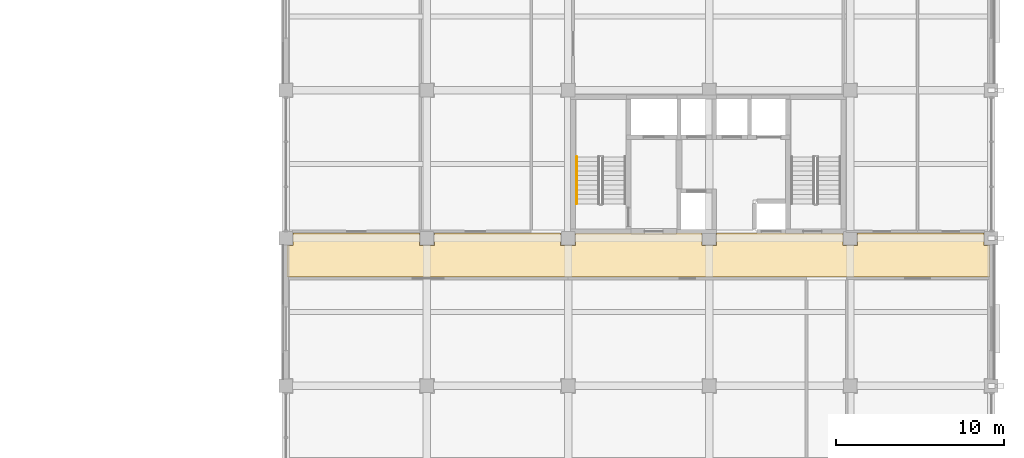
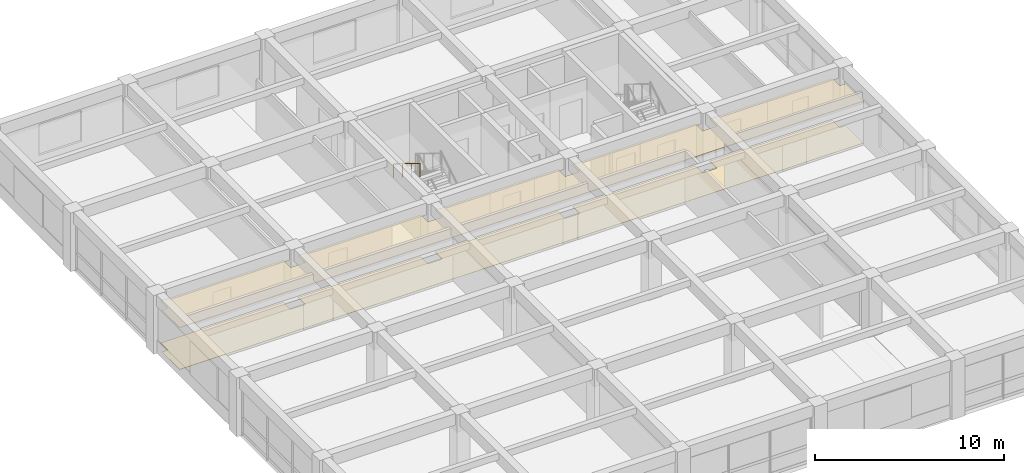
# One storey, part 14 of 16: 2 coverings, 1 railing.
"""IFC4 building model written with IfcOpenShell, lengths in metres."""

from ifc_helpers import new_model, si_unit, direction, frame, origin, origin_2d, place, context, subcontext, project, spatial, polyline, circle, outline, extrude, material, layer, layer_set, type_object, element, save


model = new_model("IFC4")

# Units and contexts
model_context = context("Model", 3, precision=1e-05, world=origin(), true_north=direction((0.0, 1.0)))
body_context = subcontext(model_context, "Body", "Model", "MODEL_VIEW")
ifc_project = project(units=[si_unit("LENGTHUNIT", "METRE"), si_unit("AREAUNIT", "SQUARE_METRE"), si_unit("VOLUMEUNIT", "CUBIC_METRE"), si_unit("PLANEANGLEUNIT", "RADIAN"), si_unit("MASSUNIT", "GRAM", prefix="KILO")], contexts=[model_context])

# Site, building, storey
site_placement = place(None, origin())
site = spatial("IfcSite", under=ifc_project, at=site_placement, CompositionType="ELEMENT")
building_placement = place(site_placement, origin())
building = spatial("IfcBuilding", under=site, at=building_placement, Name="Kemercrest Conservatory and Botanical Centre", CompositionType="ELEMENT")
storey_placement = place(building_placement, frame((0.0, 0.0, 17.199951171875)))
storey = spatial("IfcBuildingStorey", under=building, at=storey_placement, Name="L04", CompositionType="ELEMENT", Elevation=17.199951171875)

# Coverings
ifc_material_1 = material(Name="Perforated acoustic gypsum and mineral-fibre suspended ceiling", Category="gypsum")
ifc_layer_1 = layer(ifc_material_1, 0.034912109375)
ifc_layer_set_1 = layer_set([ifc_layer_1], Name="Perforated acoustic gypsum and mineral-fibre suspended ceiling")
covering_type_1 = type_object("IfcCoveringType", Name="CV-CLG035", PredefinedType="CEILING", material=ifc_layer_set_1)
covering_1_placement = place(storey_placement, frame((0.0, 0.0, 2.699951171875)))
element("IfcCovering", 1, at=covering_1_placement, inside=storey, type_object=covering_type_1, Name="Research Corridor suspended acoustic ceiling", PredefinedType="CEILING", context=body_context, shape_type="SweptSolid", body=[
    extrude(outline(polyline([(134.080078125, 102.47998046875), (175.919921875, 102.47998046875), (175.919921875, 104.360107421875), (175.56005859375, 104.360107421875), (175.56005859375, 105.1201171875), (168.0400390625, 105.1201171875), (168.0400390625, 104.360107421875), (167.159912109375, 104.360107421875), (167.159912109375, 105.1201171875), (159.639892578125, 105.1201171875), (159.639892578125, 104.360107421875), (158.760009765625, 104.360107421875), (158.760009765625, 105.1201171875), (151.239990234375, 105.1201171875), (151.239990234375, 104.360107421875), (150.360107421875, 104.360107421875), (150.360107421875, 105.1201171875), (142.840087890625, 105.1201171875), (142.840087890625, 104.360107421875), (141.9599609375, 104.360107421875), (141.9599609375, 105.1201171875), (134.43994140625, 105.1201171875), (134.43994140625, 104.360107421875), (134.080078125, 104.360107421875), (134.080078125, 102.47998046875)])), origin(), (0.0, 0.0, 1.0), 0.03515625),
])
ifc_material_2 = material(Name="Polished limestone terrazzo and seamless laboratory epoxy flooring", Category="masonry")
ifc_layer_2 = layer(ifc_material_2, 0.02001953125)
ifc_layer_set_2 = layer_set([ifc_layer_2], Name="Polished limestone terrazzo and seamless laboratory epoxy flooring")
covering_type_2 = type_object("IfcCoveringType", Name="CV-FLR020", PredefinedType="FLOORING", material=ifc_layer_set_2)
covering_2_placement = place(storey_placement, origin())
element("IfcCovering", 2, at=covering_2_placement, inside=storey, type_object=covering_type_2, Name="Research Corridor floor finish", PredefinedType="FLOORING", context=body_context, shape_type="SweptSolid", body=[
    extrude(outline(polyline([(134.080078125, 102.47998046875), (175.919921875, 102.47998046875), (175.919921875, 104.360107421875), (175.56005859375, 104.360107421875), (175.56005859375, 105.1201171875), (168.0400390625, 105.1201171875), (168.0400390625, 104.360107421875), (167.159912109375, 104.360107421875), (167.159912109375, 105.1201171875), (159.639892578125, 105.1201171875), (159.639892578125, 104.360107421875), (158.760009765625, 104.360107421875), (158.760009765625, 105.1201171875), (151.239990234375, 105.1201171875), (151.239990234375, 104.360107421875), (150.360107421875, 104.360107421875), (150.360107421875, 105.1201171875), (142.840087890625, 105.1201171875), (142.840087890625, 104.360107421875), (141.9599609375, 104.360107421875), (141.9599609375, 105.1201171875), (134.43994140625, 105.1201171875), (134.43994140625, 104.360107421875), (134.080078125, 104.360107421875), (134.080078125, 102.47998046875)])), origin(), (0.0, 0.0, 1.0), 0.02001953125),
])

# Railing
ifc_material_3 = material(Name="Brushed stainless steel wall-mounted handrail", Category="steel")
railing_type = type_object("IfcRailingType", Name="HR-STR090", PredefinedType="HANDRAIL", material=ifc_material_3)
railing_placement = place(storey_placement, frame((151.31005859375, 109.639892578125, 2.07275390625)))
element("IfcRailing", 3, at=railing_placement, inside=storey, type_object=railing_type, Name="L04 ST-V4A stair handrail 2", PredefinedType="HANDRAIL", context=body_context, shape_type="SweptSolid", body=[
    extrude(circle(Radius=0.02392578125, at=origin_2d()), frame((0.0, 0.0, 0.8759765625), z_axis=(0.0, -0.851069175582, 0.525053576669), x_axis=(1.0, 0.0, 0.0)), (0.0, 0.0, 1.0), 3.289794921875),
    extrude(circle(Radius=0.02099609375, at=origin_2d()), origin(), (0.0, 0.0, 1.0), 0.851806640625),
    extrude(circle(Radius=0.02099609375, at=origin_2d()), frame((0.0, -0.933349609375, 0.57568359375)), (0.0, 0.0, 1.0), 0.851806640625),
    extrude(circle(Radius=0.02099609375, at=origin_2d()), frame((0.0, -1.866455078125, 1.151611328125)), (0.0, 0.0, 1.0), 0.851806640625),
    extrude(circle(Radius=0.02099609375, at=origin_2d()), frame((0.0, -2.7998046875, 1.727294921875)), (0.0, 0.0, 1.0), 0.851806640625),
])

save(model, "model.ifc")
